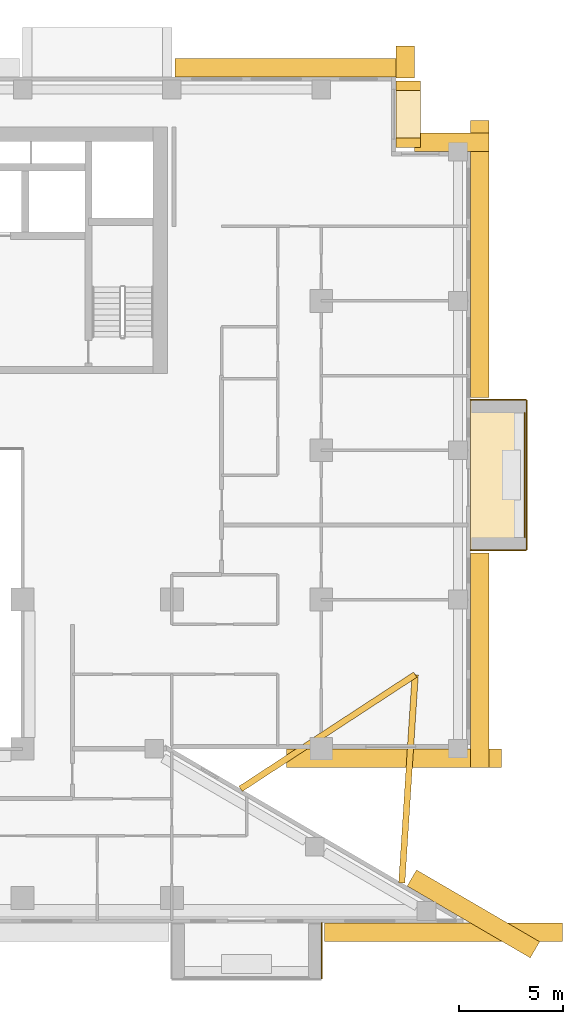
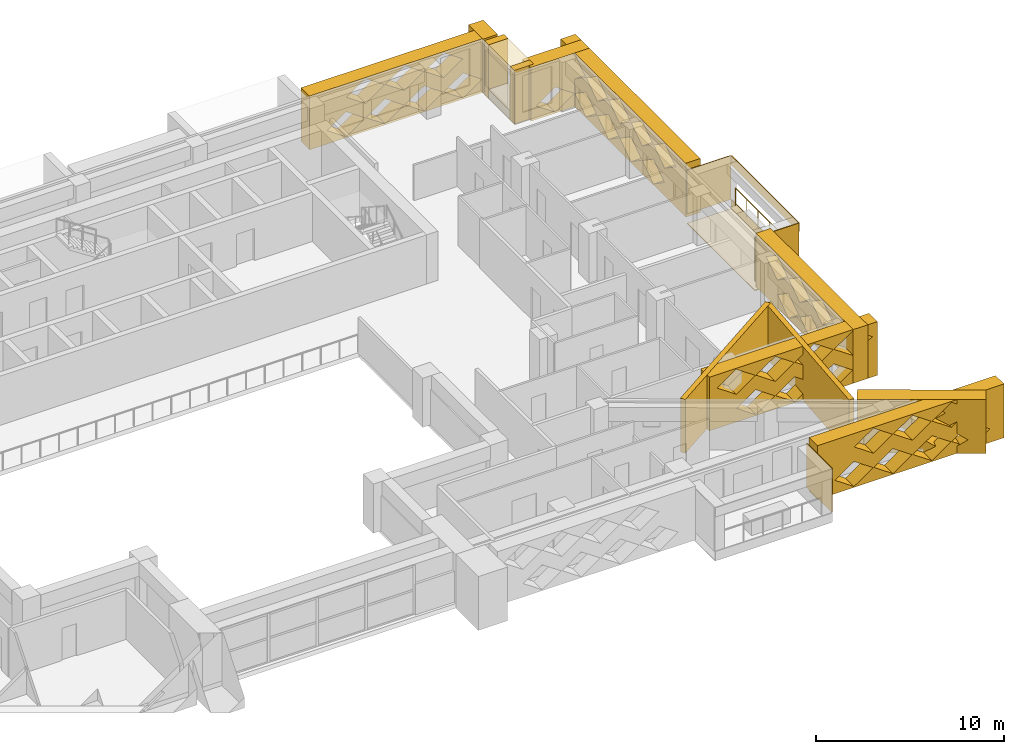
# One storey, part 20 of 20: 20 coverings, 1 railing.
"""IFC4 building model written with IfcOpenShell, lengths in metres."""

from ifc_helpers import new_model, si_unit, direction, frame, origin, origin_2d, place, context, subcontext, project, spatial, polyline, circle, outline, extrude, material, layer, layer_set, type_object, element, save


model = new_model("IFC4")

# Units and contexts
model_context = context("Model", 3, precision=1e-05, world=origin(), true_north=direction((0.0, 1.0)))
body_context = subcontext(model_context, "Body", "Model", "MODEL_VIEW")
ifc_project = project(units=[si_unit("LENGTHUNIT", "METRE"), si_unit("AREAUNIT", "SQUARE_METRE"), si_unit("VOLUMEUNIT", "CUBIC_METRE"), si_unit("PLANEANGLEUNIT", "RADIAN"), si_unit("MASSUNIT", "GRAM", prefix="KILO")], contexts=[model_context])

# Site, building, storey
site_placement = place(None, origin())
site = spatial("IfcSite", under=ifc_project, at=site_placement, CompositionType="ELEMENT")
building_placement = place(site_placement, origin())
building = spatial("IfcBuilding", under=site, at=building_placement, Name="Saffron Iwan Residences", CompositionType="ELEMENT")
storey_placement = place(building_placement, frame((0.0, 0.0, 127.0)))
storey = spatial("IfcBuildingStorey", under=building, at=storey_placement, Name="L33", CompositionType="ELEMENT", Elevation=127.0)

# Railing
ifc_material_1 = material(Name="Stainless steel 316", Category="steel")
railing_type = type_object("IfcRailingType", Name="BALCONY GUARD 1150", PredefinedType="GUARDRAIL", material=ifc_material_1)
railing_placement = place(storey_placement, frame((89.02490234375, 58.199951171875, 0.0)))
element("IfcRailing", 1, at=railing_placement, inside=storey, type_object=railing_type, Name="Balcony guard L33 F2-0", PredefinedType="GUARDRAIL", context=body_context, shape_type="SweptSolid", body=[
    extrude(circle(Radius=0.02392578125, at=origin_2d()), frame((0.0, 0.0, 1.1259765625), z_axis=(0.0, 1.0, 0.0), x_axis=(-1.0, 0.0, 0.0)), (0.0, 0.0, 1.0), 6.0),
    extrude(circle(Radius=0.02099609375, at=origin_2d()), origin(), (0.0, 0.0, 1.0), 1.101806640625),
    extrude(circle(Radius=0.02099609375, at=origin_2d()), frame((0.0, 1.199951171875, 0.0)), (0.0, 0.0, 1.0), 1.101806640625),
    extrude(circle(Radius=0.02099609375, at=origin_2d()), frame((0.0, 2.39990234375, 0.0)), (0.0, 0.0, 1.0), 1.101806640625),
    extrude(circle(Radius=0.02099609375, at=origin_2d()), frame((0.0, 3.60009765625, 0.0)), (0.0, 0.0, 1.0), 1.101806640625),
    extrude(circle(Radius=0.02099609375, at=origin_2d()), frame((0.0, 4.800048828125, 0.0)), (0.0, 0.0, 1.0), 1.101806640625),
    extrude(circle(Radius=0.02099609375, at=origin_2d()), frame((0.0, 6.0, 0.0)), (0.0, 0.0, 1.0), 1.101806640625),
])

# Coverings
ifc_material_2 = material(Name="Precast concrete C40/50 white painted", Category="concrete")
ifc_layer_1 = layer(ifc_material_2, 0.050048828125)
ifc_layer_set_1 = layer_set([ifc_layer_1], Name="Precast concrete C40/50 white painted")
covering_type_1 = type_object("IfcCoveringType", Name="FRAME SKIN PRECAST WHITE 50", PredefinedType="CLADDING", material=ifc_layer_set_1)
for number, where, name in (
    (2, (0.0, 0.0, -0.60009765625), "Frame skin slab edge L33 F2-0"),
    (3, (0.0, 0.0, 2.25), "Frame skin fascia L33 F2-0"),
):
    element("IfcCovering", number, at=place(storey_placement, frame(where)), inside=storey, type_object=covering_type_1, Name=name, PredefinedType="CLADDING", context=body_context, shape_type="SweptSolid", body=[
        extrude(outline(polyline([(89.14990234375, 57.60009765625), (89.14990234375, 64.800048828125), (89.10009765625, 64.800048828125), (89.10009765625, 57.60009765625), (89.14990234375, 57.60009765625)])), origin(), (0.0, 0.0, 1.0), 0.60009765625),
    ])
covering_1_placement = place(storey_placement, frame((0.0, 0.0, -0.64990234375)))
element("IfcCovering", 4, at=covering_1_placement, inside=storey, type_object=covering_type_1, Name="Frame skin soffit L33 F2-0", PredefinedType="CLADDING", context=body_context, shape_type="SweptSolid", body=[
    extrude(outline(polyline([(89.10009765625, 57.60009765625), (89.10009765625, 64.800048828125), (86.39990234375, 64.800048828125), (86.39990234375, 57.60009765625), (89.10009765625, 57.60009765625)])), origin(), (0.0, 0.0, 1.0), 0.0498046875),
])
covering_2_placement = place(storey_placement, origin())
element("IfcCovering", 5, at=covering_2_placement, inside=storey, type_object=covering_type_1, Name="Frame skin fin L33 F2-0a", PredefinedType="CLADDING", context=body_context, shape_type="SweptSolid", body=[
    extrude(outline(polyline([(89.10009765625, 57.550048828125), (89.10009765625, 57.60009765625), (86.39990234375, 57.60009765625), (86.39990234375, 57.550048828125), (89.10009765625, 57.550048828125)])), origin(), (0.0, 0.0, 1.0), 2.85009765625),
])
covering_3_placement = place(storey_placement, origin())
element("IfcCovering", 6, at=covering_3_placement, inside=storey, type_object=covering_type_1, Name="Frame skin fin L33 F2-0b", PredefinedType="CLADDING", context=body_context, shape_type="SweptSolid", body=[
    extrude(outline(polyline([(89.10009765625, 64.800048828125), (89.10009765625, 64.85009765625), (86.39990234375, 64.85009765625), (86.39990234375, 64.800048828125), (89.10009765625, 64.800048828125)])), origin(), (0.0, 0.0, 1.0), 2.85009765625),
])
covering_4_placement = place(storey_placement, origin())
element("IfcCovering", 7, at=covering_4_placement, inside=storey, type_object=covering_type_1, Name="Frame skin fin L33 11-1b", PredefinedType="CLADDING", context=body_context, shape_type="SweptSolid", body=[
    extrude(outline(polyline([(79.199951171875, 36.89990234375), (79.25, 36.89990234375), (79.25, 39.60009765625), (79.199951171875, 39.60009765625), (79.199951171875, 36.89990234375)])), origin(), (0.0, 0.0, 1.0), 2.85009765625),
])
ifc_material_3 = material(Name="Precast concrete C40/50", Category="concrete")
covering_type_2 = type_object("IfcCoveringType", Name="OUTER SKIN LATTICE SCREEN", PredefinedType="CLADDING", material=ifc_material_3)
covering_5_placement = place(storey_placement, frame((89.283935546875, 37.917724609375, -0.300048828125), z_axis=(0.503803550485, 0.863818257806, 0.0), x_axis=(-0.863818257806, 0.503803550485, 0.0)))
element("IfcCovering", 8, at=covering_5_placement, inside=storey, type_object=covering_type_2, Name="OUTER SKIN lattice screen L33 F0.0", PredefinedType="CLADDING", context=body_context, shape_type="SweptSolid", body=[
    extrude(outline(polyline([(0.0, 0.0), (6.874267578125, 0.0), (6.874267578125, 3.5), (0.0, 3.5), (0.0, 0.0)]), holes=[polyline([(0.958740234375, 0.875), (2.138671875, 0.06005859375), (3.318603515625, 0.875), (2.138671875, 1.68994140625), (0.958740234375, 0.875)]), polyline([(3.358642578125, 0.875), (4.538818359375, 0.06005859375), (5.71875, 0.875), (4.538818359375, 1.68994140625), (3.358642578125, 0.875)]), polyline([(2.15869140625, 2.625), (3.338623046875, 1.81005859375), (4.518798828125, 2.625), (3.338623046875, 3.43994140625), (2.15869140625, 2.625)])]), origin(), (0.0, 0.0, 1.0), 0.89990234375),
])
covering_6_placement = place(storey_placement, frame((77.538818359375, 48.0, -0.300048828125), z_axis=(0.0, -1.0, 0.0), x_axis=(1.0, 0.0, 0.0)))
element("IfcCovering", 9, at=covering_6_placement, inside=storey, type_object=covering_type_2, Name="OUTER SKIN lattice screen L33 F1.0", PredefinedType="CLADDING", context=body_context, shape_type="SweptSolid", body=[
    extrude(outline(polyline([(0.0, 0.0), (10.361328125, 0.0), (10.361328125, 3.5), (0.0, 3.5), (0.0, 0.0)]), holes=[polyline([(1.681396484375, 0.875), (2.861328125, 0.06005859375), (4.041259765625, 0.875), (2.861328125, 1.68994140625), (1.681396484375, 0.875)]), polyline([(4.081298828125, 0.875), (5.26123046875, 0.06005859375), (6.44140625, 0.875), (5.26123046875, 1.68994140625), (4.081298828125, 0.875)]), polyline([(6.481201171875, 0.875), (7.661376953125, 0.06005859375), (8.84130859375, 0.875), (7.661376953125, 1.68994140625), (6.481201171875, 0.875)]), polyline([(0.481201171875, 2.625), (1.661376953125, 1.81005859375), (2.84130859375, 2.625), (1.661376953125, 3.43994140625), (0.481201171875, 2.625)]), polyline([(2.88134765625, 2.625), (4.061279296875, 1.81005859375), (5.2412109375, 2.625), (4.061279296875, 3.43994140625), (2.88134765625, 2.625)]), polyline([(5.28125, 2.625), (6.461181640625, 1.81005859375), (7.641357421875, 2.625), (6.461181640625, 3.43994140625), (5.28125, 2.625)]), polyline([(7.681396484375, 2.625), (8.861328125, 1.81005859375), (10.041259765625, 2.625), (8.861328125, 3.43994140625), (7.681396484375, 2.625)])]), origin(), (0.0, 0.0, 1.0), 0.89990234375),
])
covering_7_placement = place(storey_placement, frame((86.39990234375, 47.10009765625, -0.300048828125), z_axis=(1.0, 0.0, 0.0), x_axis=(0.0, 1.0, 0.0)))
element("IfcCovering", 10, at=covering_7_placement, inside=storey, type_object=covering_type_2, Name="OUTER SKIN lattice screen L33 F2.0", PredefinedType="CLADDING", context=body_context, shape_type="SweptSolid", body=[
    extrude(outline(polyline([(0.0, 0.0), (10.35009765625, 0.0), (10.35009765625, 3.5), (0.0, 3.5), (0.0, 0.0)]), holes=[polyline([(0.919921875, 0.875), (2.10009765625, 0.06005859375), (3.280029296875, 0.875), (2.10009765625, 1.68994140625), (0.919921875, 0.875)]), polyline([(3.320068359375, 0.875), (4.5, 0.06005859375), (5.679931640625, 0.875), (4.5, 1.68994140625), (3.320068359375, 0.875)]), polyline([(5.719970703125, 0.875), (6.89990234375, 0.06005859375), (8.080078125, 0.875), (6.89990234375, 1.68994140625), (5.719970703125, 0.875)]), polyline([(2.1201171875, 2.625), (3.300048828125, 1.81005859375), (4.47998046875, 2.625), (3.300048828125, 3.43994140625), (2.1201171875, 2.625)]), polyline([(4.52001953125, 2.625), (5.699951171875, 1.81005859375), (6.8798828125, 2.625), (5.699951171875, 3.43994140625), (4.52001953125, 2.625)]), polyline([(6.919921875, 2.625), (8.10009765625, 1.81005859375), (9.280029296875, 2.625), (8.10009765625, 3.43994140625), (6.919921875, 2.625)])]), origin(), (0.0, 0.0, 1.0), 0.900146484375),
])
covering_8_placement = place(storey_placement, frame((86.39990234375, 64.949951171875, -0.300048828125), z_axis=(1.0, 0.0, 0.0), x_axis=(0.0, 1.0, 0.0)))
element("IfcCovering", 11, at=covering_8_placement, inside=storey, type_object=covering_type_2, Name="OUTER SKIN lattice screen L33 F2.1", PredefinedType="CLADDING", context=body_context, shape_type="SweptSolid", body=[
    extrude(outline(polyline([(0.0, 0.0), (13.35009765625, 0.0), (13.35009765625, 3.5), (0.0, 3.5), (0.0, 0.0)]), holes=[polyline([(2.27001953125, 0.875), (3.449951171875, 0.06005859375), (4.6298828125, 0.875), (3.449951171875, 1.68994140625), (2.27001953125, 0.875)]), polyline([(4.669921875, 0.875), (5.85009765625, 0.06005859375), (7.030029296875, 0.875), (5.85009765625, 1.68994140625), (4.669921875, 0.875)]), polyline([(7.070068359375, 0.875), (8.25, 0.06005859375), (9.429931640625, 0.875), (8.25, 1.68994140625), (7.070068359375, 0.875)]), polyline([(9.469970703125, 0.875), (10.64990234375, 0.06005859375), (11.830078125, 0.875), (10.64990234375, 1.68994140625), (9.469970703125, 0.875)]), polyline([(1.070068359375, 2.625), (2.25, 1.81005859375), (3.429931640625, 2.625), (2.25, 3.43994140625), (1.070068359375, 2.625)]), polyline([(3.469970703125, 2.625), (4.64990234375, 1.81005859375), (5.830078125, 2.625), (4.64990234375, 3.43994140625), (3.469970703125, 2.625)]), polyline([(5.8701171875, 2.625), (7.050048828125, 1.81005859375), (8.22998046875, 2.625), (7.050048828125, 3.43994140625), (5.8701171875, 2.625)]), polyline([(8.27001953125, 2.625), (9.449951171875, 1.81005859375), (10.6298828125, 2.625), (9.449951171875, 3.43994140625), (8.27001953125, 2.625)]), polyline([(10.669921875, 2.625), (11.85009765625, 1.81005859375), (13.030029296875, 2.625), (11.85009765625, 3.43994140625), (10.669921875, 2.625)])]), origin(), (0.0, 0.0, 1.0), 0.900146484375),
])
covering_9_placement = place(storey_placement, frame((87.300048828125, 76.800048828125, -0.300048828125), z_axis=(0.0, 1.0, 0.0), x_axis=(-1.0, 0.0, 0.0)))
element("IfcCovering", 12, at=covering_9_placement, inside=storey, type_object=covering_type_2, Name="OUTER SKIN lattice screen L33 F3.0", PredefinedType="CLADDING", context=body_context, shape_type="SweptSolid", body=[
    extrude(outline(polyline([(0.0, 0.0), (3.60009765625, 0.0), (3.60009765625, 3.5), (0.0, 3.5), (0.0, 0.0)]), holes=[polyline([(0.919921875, 0.875), (2.10009765625, 0.06005859375), (3.280029296875, 0.875), (2.10009765625, 1.68994140625), (0.919921875, 0.875)])]), origin(), (0.0, 0.0, 1.0), 0.89990234375),
])
covering_10_placement = place(storey_placement, frame((82.800048828125, 80.35009765625, -0.300048828125), z_axis=(1.0, 0.0, 0.0), x_axis=(0.0, 1.0, 0.0)))
element("IfcCovering", 13, at=covering_10_placement, inside=storey, type_object=covering_type_2, Name="OUTER SKIN lattice screen L33 F4.0", PredefinedType="CLADDING", context=body_context, shape_type="SweptSolid", body=[
    extrude(outline(polyline([(0.0, 0.0), (1.550048828125, 0.0), (1.550048828125, 3.5), (0.0, 3.5), (0.0, 0.0)])), origin(), (0.0, 0.0, 1.0), 0.89990234375),
])
covering_11_placement = place(storey_placement, frame((83.699951171875, 80.39990234375, -0.300048828125), z_axis=(0.0, 1.0, 0.0), x_axis=(-1.0, 0.0, 0.0)))
element("IfcCovering", 14, at=covering_11_placement, inside=storey, type_object=covering_type_2, Name="OUTER SKIN lattice screen L33 F5.0", PredefinedType="CLADDING", context=body_context, shape_type="SweptSolid", body=[
    extrude(outline(polyline([(0.0, 0.0), (11.550048828125, 0.0), (11.550048828125, 3.5), (0.0, 3.5), (0.0, 0.0)]), holes=[polyline([(0.919921875, 0.875), (2.10009765625, 0.06005859375), (3.280029296875, 0.875), (2.10009765625, 1.68994140625), (0.919921875, 0.875)]), polyline([(3.320068359375, 0.875), (4.5, 0.06005859375), (5.679931640625, 0.875), (4.5, 1.68994140625), (3.320068359375, 0.875)]), polyline([(5.719970703125, 0.875), (6.89990234375, 0.06005859375), (8.080078125, 0.875), (6.89990234375, 1.68994140625), (5.719970703125, 0.875)]), polyline([(8.1201171875, 0.875), (9.300048828125, 0.06005859375), (10.47998046875, 0.875), (9.300048828125, 1.68994140625), (8.1201171875, 0.875)]), polyline([(2.1201171875, 2.625), (3.300048828125, 1.81005859375), (4.47998046875, 2.625), (3.300048828125, 3.43994140625), (2.1201171875, 2.625)]), polyline([(4.52001953125, 2.625), (5.699951171875, 1.81005859375), (6.8798828125, 2.625), (5.699951171875, 3.43994140625), (4.52001953125, 2.625)]), polyline([(6.919921875, 2.625), (8.10009765625, 1.81005859375), (9.280029296875, 2.625), (8.10009765625, 3.43994140625), (6.919921875, 2.625)])]), origin(), (0.0, 0.0, 1.0), 0.900146484375),
])
covering_12_placement = place(storey_placement, frame((79.35009765625, 39.60009765625, -0.300048828125), z_axis=(0.0, -1.0, 0.0), x_axis=(1.0, 0.0, 0.0)))
element("IfcCovering", 15, at=covering_12_placement, inside=storey, type_object=covering_type_2, Name="OUTER SKIN lattice screen L33 F11.3", PredefinedType="CLADDING", context=body_context, shape_type="SweptSolid", body=[
    extrude(outline(polyline([(0.0, 0.0), (11.48876953125, 0.0), (11.48876953125, 3.5), (0.0, 3.5), (0.0, 0.0)]), holes=[polyline([(1.070068359375, 0.875), (2.25, 0.06005859375), (3.429931640625, 0.875), (2.25, 1.68994140625), (1.070068359375, 0.875)]), polyline([(3.469970703125, 0.875), (4.64990234375, 0.06005859375), (5.830078125, 0.875), (4.64990234375, 1.68994140625), (3.469970703125, 0.875)]), polyline([(5.8701171875, 0.875), (7.050048828125, 0.06005859375), (8.22998046875, 0.875), (7.050048828125, 1.68994140625), (5.8701171875, 0.875)]), polyline([(8.27001953125, 0.875), (9.449951171875, 0.06005859375), (10.6298828125, 0.875), (9.449951171875, 1.68994140625), (8.27001953125, 0.875)]), polyline([(2.27001953125, 2.625), (3.449951171875, 1.81005859375), (4.6298828125, 2.625), (3.449951171875, 3.43994140625), (2.27001953125, 2.625)]), polyline([(4.669921875, 2.625), (5.85009765625, 1.81005859375), (7.030029296875, 2.625), (5.85009765625, 3.43994140625), (4.669921875, 2.625)]), polyline([(7.070068359375, 2.625), (8.25, 1.81005859375), (9.429931640625, 2.625), (8.25, 3.43994140625), (7.070068359375, 2.625)])]), origin(), (0.0, 0.0, 1.0), 0.900146484375),
])
ifc_layer_2 = layer(ifc_material_2, 0.300048828125)
ifc_layer_set_2 = layer_set([ifc_layer_2], Name="Precast concrete C40/50 white painted")
covering_type_3 = type_object("IfcCoveringType", Name="PROW NOSE BLADE PRECAST WHITE", PredefinedType="CLADDING", material=ifc_layer_set_2)
covering_13_placement = place(storey_placement, frame((0.0, 0.0, -0.300048828125)))
element("IfcCovering", 16, at=covering_13_placement, inside=storey, type_object=covering_type_3, Name="Prow nose blade L33 a", PredefinedType="CLADDING", context=body_context, shape_type="SweptSolid", body=[
    extrude(outline(polyline([(83.23681640625, 41.52294921875), (83.884521484375, 51.564453125), (83.585205078125, 51.583740234375), (82.937255859375, 41.542236328125), (83.23681640625, 41.52294921875)])), origin(), (0.0, 0.0, 1.0), 3.5),
])
covering_14_placement = place(storey_placement, frame((0.0, 0.0, -0.300048828125)))
element("IfcCovering", 17, at=covering_14_placement, inside=storey, type_object=covering_type_3, Name="Prow nose blade L33 b", PredefinedType="CLADDING", context=body_context, shape_type="SweptSolid", body=[
    extrude(outline(polyline([(75.39501953125, 45.94189453125), (83.81689453125, 51.448486328125), (83.65283203125, 51.69970703125), (75.23095703125, 46.193115234375), (75.39501953125, 45.94189453125)])), origin(), (0.0, 0.0, 1.0), 3.5),
])
covering_type_4 = type_object("IfcCoveringType", Name="WHITE SUN FRAME PRECAST", PredefinedType="CLADDING", material=ifc_material_2)
for number, where, z_axis, x_axis, name in (
    (18, (82.800048828125, 77.0, -0.300048828125), (1.0, 0.0, 0.0), (0.0, 1.0, 0.0), "Sun frame L33 F4 0.2a"),
    (19, (82.800048828125, 79.75, -0.300048828125), (1.0, 0.0, 0.0), (0.0, 1.0, 0.0), "Sun frame L33 F4 0.2b"),
):
    element("IfcCovering", number, at=place(storey_placement, frame(where, z_axis=z_axis, x_axis=x_axis)), inside=storey, type_object=covering_type_4, Name=name, PredefinedType="CLADDING", context=body_context, shape_type="SweptSolid", body=[
        extrude(outline(polyline([(0.0, 0.0), (0.449951171875, 0.0), (0.449951171875, 3.5), (0.0, 3.5), (0.0, 0.0)])), origin(), (0.0, 0.0, 1.0), 1.199951171875),
    ])
for number, where, z_axis, x_axis, name in (
    (20, (82.800048828125, 77.449951171875, 2.60009765625), (1.0, 0.0, 0.0), (0.0, 1.0, 0.0), "Sun frame L33 F4 0.2h"),
    (21, (82.800048828125, 77.449951171875, -0.300048828125), (1.0, 0.0, 0.0), (0.0, 1.0, 0.0), "Sun frame L33 F4 0.2s"),
):
    element("IfcCovering", number, at=place(storey_placement, frame(where, z_axis=z_axis, x_axis=x_axis)), inside=storey, type_object=covering_type_4, Name=name, PredefinedType="CLADDING", context=body_context, shape_type="SweptSolid", body=[
        extrude(outline(polyline([(0.0, 0.0), (2.300048828125, 0.0), (2.300048828125, 0.60009765625), (0.0, 0.60009765625), (0.0, 0.0)])), origin(), (0.0, 0.0, 1.0), 1.199951171875),
    ])

save(model, "model.ifc")
